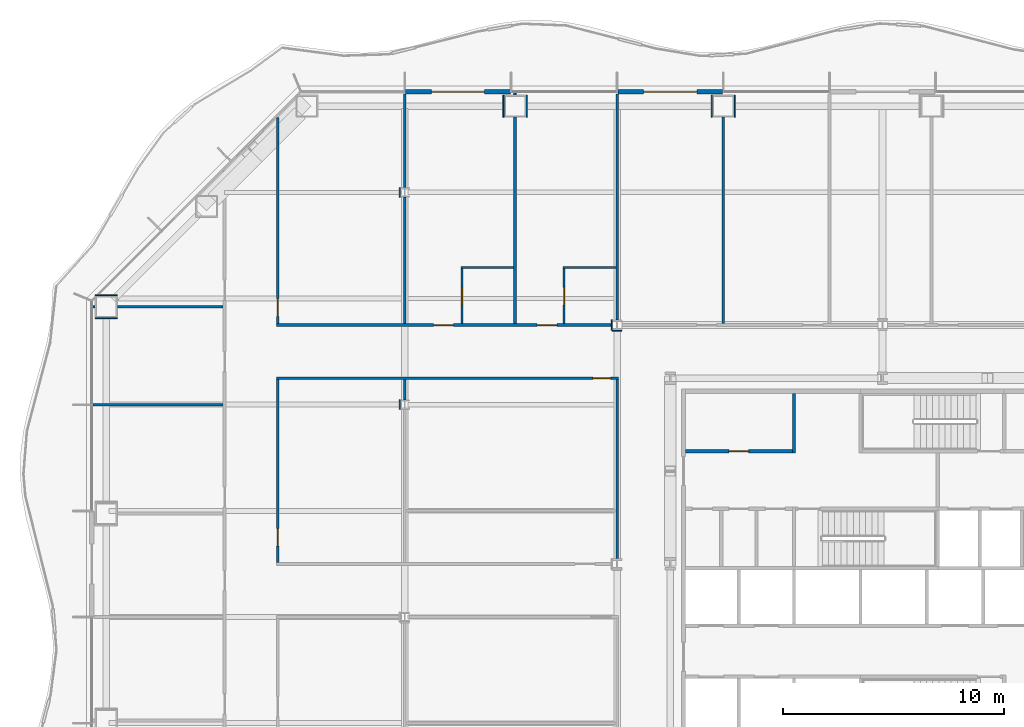
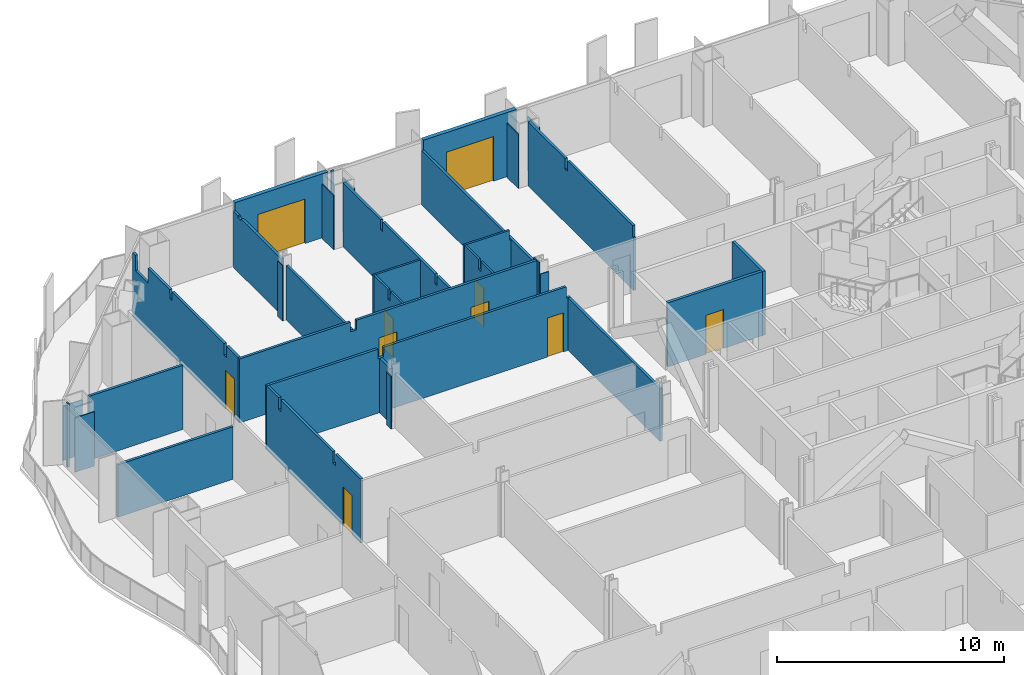
# One storey, part 11 of 20: 33 walls, 10 doors, 10 openings.
"""IFC4 building model written with IfcOpenShell, lengths in metres."""

from ifc_helpers import new_model, si_unit, direction, frame, frame_2d, origin, place, context, subcontext, project, spatial, polyline, rectangle, outline, extrude, material, layer, layer_set, type_object, element, fill, save


model = new_model("IFC4")

# Units and contexts
model_context = context("Model", 3, precision=1e-05, world=origin(), true_north=direction((0.0, 1.0)))
body_context = subcontext(model_context, "Body", "Model", "MODEL_VIEW")
ifc_project = project(units=[si_unit("LENGTHUNIT", "METRE"), si_unit("AREAUNIT", "SQUARE_METRE"), si_unit("VOLUMEUNIT", "CUBIC_METRE"), si_unit("PLANEANGLEUNIT", "RADIAN"), si_unit("MASSUNIT", "GRAM", prefix="KILO")], contexts=[model_context])

# Site, building, storey
site_placement = place(None, origin())
site = spatial("IfcSite", under=ifc_project, at=site_placement, CompositionType="ELEMENT")
building_placement = place(site_placement, origin())
building = spatial("IfcBuilding", under=site, at=building_placement, Name="Cairn Pilgrim Tower", CompositionType="ELEMENT")
storey_placement = place(building_placement, frame((0.0, 0.0, 61.800048828125)))
storey = spatial("IfcBuildingStorey", under=building, at=storey_placement, Name="L13", CompositionType="ELEMENT", Elevation=61.800048828125)

# Wall, opening, door
ifc_material_1 = material(Name="Bronze anodised aluminium insulated sandwich panel with mineral wool fill", Category="aluminium")
ifc_layer_1 = layer(ifc_material_1, 0.199951171875)
ifc_layer_set_1 = layer_set([ifc_layer_1], Name="BRONZE INFILL FRAME WALL 200")
wall_type_1 = type_object("IfcWallType", Name="BRONZE INFILL FRAME WALL 200", PredefinedType="NOTDEFINED", material=ifc_layer_set_1)
wall_1_placement = place(storey_placement, frame((-0.030029296875, 23.75, 0.0), z_axis=(0.0, 0.0, 1.0), x_axis=(-1.0, 0.0, 0.0)))
wall_1 = element("IfcWall", 1, at=wall_1_placement, inside=storey, type_object=wall_type_1, Name="Bronze infill frame wall IW-N5", PredefinedType="NOTDEFINED", context=body_context, shape_type="SweptSolid", body=[
    extrude(rectangle(XDim=4.739990234375, YDim=0.199951171875, at=frame_2d((2.3701171875, 0.0))), origin(), (0.0, 0.0, 1.0), 3.449951171875),
])
opening_1_placement = place(wall_1_placement, frame((1.169921875, 0.0, 0.0)))
opening_1 = element("IfcOpeningElement", 2, at=opening_1_placement, cuts=wall_1, Name="Opening 1318B", PredefinedType="OPENING", context=body_context, shape_type="SweptSolid", body=[
    extrude(rectangle(XDim=2.39990234375, YDim=2.39990234375, at=frame_2d((1.199951171875, 1.199951171875))), frame((0.0, 0.10986328125, 0.0), z_axis=(0.0, -1.0, 0.0), x_axis=(1.0, 0.0, 0.0)), (0.0, 0.0, 1.0), 0.219970703125),
])
ifc_material_2 = material(Name="Bronze anodised aluminium frame with tinted low-E glass", Category="aluminium")
door_type_1 = type_object("IfcDoorType", Name="BALCONY SLIDING DOOR 2400x2400", OperationType="DOUBLE_DOOR_SLIDING", PredefinedType="DOOR", material=ifc_material_2)
door_1_placement = place(opening_1_placement, origin())
door_1 = element("IfcDoor", 3, at=door_1_placement, inside=storey, type_object=door_type_1, Name="Balcony sliding door 1318B", OperationType="SINGLE_SWING_LEFT", OverallHeight=2.39990234375, OverallWidth=2.39990234375, PredefinedType="DOOR", context=body_context, shape_type="SweptSolid", body=[
    extrude(rectangle(XDim=2.39990234375, YDim=2.39990234375, at=frame_2d((1.199951171875, 1.199951171875))), frame((0.0, 0.02490234375, 0.0), z_axis=(0.0, -1.0, 0.0), x_axis=(1.0, 0.0, 0.0)), (0.0, 0.0, 1.0), 0.050048828125),
])
fill(opening_1, door_1)

wall_2_placement = place(storey_placement, frame((-9.6298828125, 23.75, 0.0), z_axis=(0.0, 0.0, 1.0), x_axis=(-1.0, 0.0, 0.0)))
wall_2 = element("IfcWall", 4, at=wall_2_placement, inside=storey, type_object=wall_type_1, Name="Bronze infill frame wall IW-N7", PredefinedType="NOTDEFINED", context=body_context, shape_type="SweptSolid", body=[
    extrude(rectangle(XDim=4.740234375, YDim=0.199951171875, at=frame_2d((2.3701171875, 0.0))), origin(), (0.0, 0.0, 1.0), 3.449951171875),
])
opening_2_placement = place(wall_2_placement, frame((1.169921875, 0.0, 0.0)))
opening_2 = element("IfcOpeningElement", 5, at=opening_2_placement, cuts=wall_2, Name="Opening 1316B", PredefinedType="OPENING", context=body_context, shape_type="SweptSolid", body=[
    extrude(rectangle(XDim=2.39990234375, YDim=2.39990234375, at=frame_2d((1.199951171875, 1.199951171875))), frame((0.0, 0.10986328125, 0.0), z_axis=(0.0, -1.0, 0.0), x_axis=(1.0, 0.0, 0.0)), (0.0, 0.0, 1.0), 0.219970703125),
])
door_2_placement = place(opening_2_placement, origin())
door_2 = element("IfcDoor", 6, at=door_2_placement, inside=storey, type_object=door_type_1, Name="Balcony sliding door 1316B", OperationType="SINGLE_SWING_LEFT", OverallHeight=2.39990234375, OverallWidth=2.39990234375, PredefinedType="DOOR", context=body_context, shape_type="SweptSolid", body=[
    extrude(rectangle(XDim=2.39990234375, YDim=2.39990234375, at=frame_2d((1.199951171875, 1.199951171875))), frame((0.0, 0.02490234375, 0.0), z_axis=(0.0, -1.0, 0.0), x_axis=(1.0, 0.0, 0.0)), (0.0, 0.0, 1.0), 0.050048828125),
])
fill(opening_2, door_2)

ifc_material_3 = material(Name="Concrete C32/40", Category="concrete")
ifc_layer_2 = layer(ifc_material_3, 0.14990234375)
ifc_layer_set_2 = layer_set([ifc_layer_2], Name="CORE PARTITION 150 EI 60")
wall_type_2 = type_object("IfcWallType", Name="CORE PARTITION 150 EI 60", PredefinedType="PARTITIONING", material=ifc_layer_set_2)
wall_3_placement = place(storey_placement, frame((-1.699951171875, 7.5, 0.0), z_axis=(0.0, 0.0, 1.0), x_axis=(1.0, 0.0, 0.0)))
wall_3 = element("IfcWall", 7, at=wall_3_placement, inside=storey, type_object=wall_type_2, Name="CW:L13:H09", PredefinedType="PARTITIONING", context=body_context, shape_type="SweptSolid", body=[
    extrude(rectangle(XDim=4.824951171875, YDim=0.14990234375, at=frame_2d((2.41259765625, 0.0))), origin(), (0.0, 0.0, 1.0), 3.449951171875),
])
opening_3_placement = place(wall_3_placement, frame((1.949951171875, 0.0, 0.0)))
opening_3 = element("IfcOpeningElement", 8, at=opening_3_placement, cuts=wall_3, Name="Opening RD-R4W1", PredefinedType="OPENING", context=body_context, shape_type="SweptSolid", body=[
    extrude(rectangle(XDim=0.89990234375, YDim=2.10009765625, at=frame_2d((0.449951171875, 1.050048828125))), frame((0.0, 0.0849609375, 0.0), z_axis=(0.0, -1.0, 0.0), x_axis=(1.0, 0.0, 0.0)), (0.0, 0.0, 1.0), 0.169921875),
])
ifc_material_4 = material(Name="Painted steel", Category="steel")
door_type_2 = type_object("IfcDoorType", Name="SERVICE ROOM DOOR 900x2100", OperationType="SINGLE_SWING_LEFT", PredefinedType="DOOR", material=ifc_material_4)
door_3_placement = place(opening_3_placement, origin())
door_3 = element("IfcDoor", 9, at=door_3_placement, inside=storey, type_object=door_type_2, Name="RD-R4W1", OperationType="SINGLE_SWING_LEFT", OverallHeight=2.10009765625, OverallWidth=0.89990234375, PredefinedType="DOOR", context=body_context, shape_type="SweptSolid", body=[
    extrude(rectangle(XDim=0.89990234375, YDim=2.10009765625, at=frame_2d((0.449951171875, 1.050048828125))), frame((0.0, 0.02490234375, 0.0), z_axis=(0.0, -1.0, 0.0), x_axis=(1.0, 0.0, 0.0)), (0.0, 0.0, 1.0), 0.050048828125),
])
fill(opening_3, door_3)

# Wall
wall_4_placement = place(storey_placement, frame((3.199951171875, 7.425048828125, 0.0), z_axis=(0.0, 0.0, 1.0), x_axis=(0.0, 1.0, 0.0)))
element("IfcWall", 10, at=wall_4_placement, inside=storey, type_object=wall_type_2, Name="CW:L13:V20", PredefinedType="PARTITIONING", context=body_context, shape_type="SweptSolid", body=[
    extrude(rectangle(XDim=2.675048828125, YDim=0.14990234375, at=frame_2d((1.33740234375, 0.0))), origin(), (0.0, 0.0, 1.0), 3.449951171875),
])

# Wall, opening, door
ifc_material_5 = material(Name="Gypsum partition")
ifc_layer_3 = layer(ifc_material_5, 0.10009765625)
ifc_layer_set_3 = layer_set([ifc_layer_3], Name="PARTITION 100 DRYWALL")
wall_type_3 = type_object("IfcWallType", Name="PARTITION 100 DRYWALL", PredefinedType="PARTITIONING", material=ifc_layer_set_3)
wall_5_placement = place(storey_placement, frame((-11.81396484375, 13.262451171875, 0.0), z_axis=(0.0, 0.0, 1.0), x_axis=(0.0, 1.0, 0.0)))
wall_5 = element("IfcWall", 11, at=wall_5_placement, inside=storey, type_object=wall_type_3, Name="PARTITION W067", PredefinedType="PARTITIONING", context=body_context, shape_type="SweptSolid", body=[
    extrude(outline(polyline([(0.0, 0.0), (2.487548828125, 0.0), (2.487548828125, 3.449951171875), (1.237548828125, 3.449951171875), (1.235595703125, 2.929931640625), (1.03759765625, 2.929931640625), (1.035400390625, 3.449951171875), (0.0, 3.449951171875), (0.0, 0.0)])), frame((0.0, 0.050048828125, 0.0), z_axis=(0.0, -1.0, 0.0), x_axis=(1.0, 0.0, 0.0)), (0.0, 0.0, 1.0), 0.10009765625),
])
opening_4_placement = place(wall_5_placement, frame((0.83740234375, 0.0, 0.0)))
opening_4 = element("IfcOpeningElement", 12, at=opening_4_placement, cuts=wall_5, Name="Opening 1316E", PredefinedType="OPENING", context=body_context, shape_type="SweptSolid", body=[
    extrude(rectangle(XDim=0.800048828125, YDim=2.10009765625, at=frame_2d((0.39990234375, 1.050048828125))), frame((0.0, 0.06005859375, 0.0), z_axis=(0.0, -1.0, 0.0), x_axis=(1.0, 0.0, 0.0)), (0.0, 0.0, 1.0), 0.1201171875),
])
ifc_material_6 = material(Name="Timber door leaf", Category="wood")
door_type_3 = type_object("IfcDoorType", Name="DOOR 800x2100", OperationType="NOTDEFINED", PredefinedType="DOOR", material=ifc_material_6)
door_4_placement = place(opening_4_placement, frame((0.800048828125, 0.0, 0.0), z_axis=(0.0, 0.0, 1.0), x_axis=(-1.0, 0.0, 0.0)))
door_4 = element("IfcDoor", 13, at=door_4_placement, inside=storey, type_object=door_type_3, Name="DOOR 1316E", OperationType="SINGLE_SWING_RIGHT", OverallHeight=2.10009765625, OverallWidth=0.800048828125, PredefinedType="DOOR", context=body_context, shape_type="SweptSolid", body=[
    extrude(rectangle(XDim=0.800048828125, YDim=2.10009765625, at=frame_2d((0.39990234375, 1.050048828125))), frame((0.0, 0.02490234375, 0.0), z_axis=(0.0, -1.0, 0.0), x_axis=(1.0, 0.0, 0.0)), (0.0, 0.0, 1.0), 0.050048828125),
])
fill(opening_4, door_4)

wall_6_placement = place(storey_placement, frame((-7.199951171875, 13.262451171875, 0.0), z_axis=(0.0, 0.0, 1.0), x_axis=(0.0, 1.0, 0.0)))
wall_6 = element("IfcWall", 14, at=wall_6_placement, inside=storey, type_object=wall_type_3, Name="PARTITION W069", PredefinedType="PARTITIONING", context=body_context, shape_type="SweptSolid", body=[
    extrude(outline(polyline([(0.0, 0.0), (2.487548828125, 0.0), (2.487548828125, 3.449951171875), (1.237548828125, 3.449951171875), (1.235595703125, 2.929931640625), (1.03759765625, 2.929931640625), (1.035400390625, 3.449951171875), (0.0, 3.449951171875), (0.0, 0.0)])), frame((0.0, 0.050048828125, 0.0), z_axis=(0.0, -1.0, 0.0), x_axis=(1.0, 0.0, 0.0)), (0.0, 0.0, 1.0), 0.10009765625),
])
opening_5_placement = place(wall_6_placement, frame((0.83740234375, 0.0, 0.0)))
opening_5 = element("IfcOpeningElement", 15, at=opening_5_placement, cuts=wall_6, Name="Opening 1317E", PredefinedType="OPENING", context=body_context, shape_type="SweptSolid", body=[
    extrude(rectangle(XDim=0.800048828125, YDim=2.10009765625, at=frame_2d((0.39990234375, 1.050048828125))), frame((0.0, 0.06005859375, 0.0), z_axis=(0.0, -1.0, 0.0), x_axis=(1.0, 0.0, 0.0)), (0.0, 0.0, 1.0), 0.1201171875),
])
door_5_placement = place(opening_5_placement, frame((0.800048828125, 0.0, 0.0), z_axis=(0.0, 0.0, 1.0), x_axis=(-1.0, 0.0, 0.0)))
door_5 = element("IfcDoor", 16, at=door_5_placement, inside=storey, type_object=door_type_3, Name="DOOR 1317E", OperationType="SINGLE_SWING_RIGHT", OverallHeight=2.10009765625, OverallWidth=0.800048828125, PredefinedType="DOOR", context=body_context, shape_type="SweptSolid", body=[
    extrude(rectangle(XDim=0.800048828125, YDim=2.10009765625, at=frame_2d((0.39990234375, 1.050048828125))), frame((0.0, 0.02490234375, 0.0), z_axis=(0.0, -1.0, 0.0), x_axis=(1.0, 0.0, 0.0)), (0.0, 0.0, 1.0), 0.050048828125),
])
fill(opening_5, door_5)

# Walls
wall_7_placement = place(storey_placement, frame((-11.864013671875, 15.800048828125, 0.0), z_axis=(0.0, 0.0, 1.0), x_axis=(1.0, 0.0, 0.0)))
element("IfcWall", 17, at=wall_7_placement, inside=storey, type_object=wall_type_3, Name="PARTITION W078", PredefinedType="PARTITIONING", context=body_context, shape_type="SweptSolid", body=[
    extrude(rectangle(XDim=2.387451171875, YDim=0.10009765625, at=frame_2d((1.19384765625, 0.0))), origin(), (0.0, 0.0, 1.0), 3.449951171875),
])
wall_8_placement = place(storey_placement, frame((-7.25, 15.800048828125, 0.0), z_axis=(0.0, 0.0, 1.0), x_axis=(1.0, 0.0, 0.0)))
element("IfcWall", 18, at=wall_8_placement, inside=storey, type_object=wall_type_3, Name="PARTITION W079", PredefinedType="PARTITIONING", context=body_context, shape_type="SweptSolid", body=[
    extrude(outline(polyline([(0.0, 0.0), (2.387451171875, 0.0), (2.387451171875, 2.929931640625), (2.300048828125, 2.929931640625), (2.298095703125, 3.449951171875), (0.0, 3.449951171875), (0.0, 0.0)])), frame((0.0, 0.050048828125, 0.0), z_axis=(0.0, -1.0, 0.0), x_axis=(1.0, 0.0, 0.0)), (0.0, 0.0, 1.0), 0.10009765625),
])

# Wall, opening, door
ifc_layer_4 = layer(ifc_material_5, 0.125)
ifc_layer_set_4 = layer_set([ifc_layer_4], Name="PARTITION 125 DRYWALL EI 60")
wall_type_4 = type_object("IfcWallType", Name="PARTITION 125 DRYWALL EI 60", PredefinedType="PARTITIONING", material=ifc_layer_set_4)
wall_9_placement = place(storey_placement, frame((-20.14990234375, 2.46240234375, 0.0), z_axis=(0.0, 0.0, 1.0), x_axis=(0.0, 1.0, 0.0)))
wall_9 = element("IfcWall", 19, at=wall_9_placement, inside=storey, type_object=wall_type_4, Name="PARTITION W049", PredefinedType="PARTITIONING", context=body_context, shape_type="SweptSolid", body=[
    extrude(outline(polyline([(0.0, 0.0), (8.275146484375, 0.0), (8.27490234375, 3.449951171875), (7.24755859375, 3.449951171875), (7.24560546875, 2.829833984375), (7.027587890625, 2.829833984375), (7.025390625, 3.449951171875), (2.447509765625, 3.449951171875), (2.445556640625, 2.829833984375), (2.2275390625, 2.829833984375), (2.2255859375, 3.449951171875), (0.0, 3.449951171875), (0.0, 0.0)])), frame((0.0, 0.0625, 0.0), z_axis=(0.0, -1.0, 0.0), x_axis=(1.0, 0.0, 0.0)), (0.0, 0.0, 1.0), 0.125),
])
opening_6_placement = place(wall_9_placement, frame((0.737548828125, 0.0, 0.0)))
opening_6 = element("IfcOpeningElement", 20, at=opening_6_placement, cuts=wall_9, Name="Opening 1334", PredefinedType="OPENING", context=body_context, shape_type="SweptSolid", body=[
    extrude(rectangle(XDim=0.800048828125, YDim=2.10009765625, at=frame_2d((0.39990234375, 1.050048828125))), frame((0.0, 0.072509765625, 0.0), z_axis=(0.0, -1.0, 0.0), x_axis=(1.0, 0.0, 0.0)), (0.0, 0.0, 1.0), 0.14501953125),
])
ifc_material_7 = material(Name="Steel-faced fire door leaf", Category="steel")
door_type_4 = type_object("IfcDoorType", Name="FIRE DOOR 800x2100 FD30S", OperationType="NOTDEFINED", PredefinedType="DOOR", material=ifc_material_7)
door_6_placement = place(opening_6_placement, frame((0.800048828125, 0.0, 0.0), z_axis=(0.0, 0.0, 1.0), x_axis=(-1.0, 0.0, 0.0)))
door_6 = element("IfcDoor", 21, at=door_6_placement, inside=storey, type_object=door_type_4, Name="DOOR 1334", OperationType="SINGLE_SWING_LEFT", OverallHeight=2.10009765625, OverallWidth=0.800048828125, PredefinedType="DOOR", context=body_context, shape_type="SweptSolid", body=[
    extrude(rectangle(XDim=0.800048828125, YDim=2.10009765625, at=frame_2d((0.39990234375, 1.050048828125))), frame((0.0, 0.02490234375, 0.0), z_axis=(0.0, -1.0, 0.0), x_axis=(1.0, 0.0, 0.0)), (0.0, 0.0, 1.0), 0.050048828125),
])
fill(opening_6, door_6)

# Walls
wall_10_placement = place(storey_placement, frame((-4.800048828125, 2.636962890625, 0.0), z_axis=(0.0, 0.0, 1.0), x_axis=(0.0, 1.0, 0.0)))
element("IfcWall", 22, at=wall_10_placement, inside=storey, type_object=wall_type_4, Name="PARTITION W051", PredefinedType="PARTITIONING", context=body_context, shape_type="SweptSolid", body=[
    extrude(rectangle(XDim=8.1005859375, YDim=0.125, at=frame_2d((4.05029296875, 0.0))), origin(), (0.0, 0.0, 1.0), 2.829833984375),
])
wall_11_placement = place(storey_placement, frame((-28.489990234375, 9.60009765625, 0.0), z_axis=(0.0, 0.0, 1.0), x_axis=(1.0, 0.0, 0.0)))
element("IfcWall", 23, at=wall_11_placement, inside=storey, type_object=wall_type_4, Name="PARTITION W058", PredefinedType="PARTITIONING", context=body_context, shape_type="SweptSolid", body=[
    extrude(rectangle(XDim=5.87744140625, YDim=0.125, at=frame_2d((2.938720703125, 0.0))), origin(), (0.0, 0.0, 1.0), 2.829833984375),
])
wall_12_placement = place(storey_placement, frame((-14.39990234375, 9.8125, 0.0), z_axis=(0.0, 0.0, 1.0), x_axis=(0.0, 1.0, 0.0)))
element("IfcWall", 24, at=wall_12_placement, inside=storey, type_object=wall_type_4, Name="PARTITION W060", PredefinedType="PARTITIONING", context=body_context, shape_type="SweptSolid", body=[
    extrude(rectangle(XDim=0.925048828125, YDim=0.125, at=frame_2d((0.46240234375, 0.0))), origin(), (0.0, 0.0, 1.0), 2.929931640625),
])

# Wall, opening, door
wall_13_placement = place(storey_placement, frame((-20.21240234375, 10.800048828125, 0.0), z_axis=(0.0, 0.0, 1.0), x_axis=(1.0, 0.0, 0.0)))
wall_13 = element("IfcWall", 25, at=wall_13_placement, inside=storey, type_object=wall_type_4, Name="PARTITION W061", PredefinedType="PARTITIONING", context=body_context, shape_type="SweptSolid", body=[
    extrude(outline(polyline([(0.0, 0.0), (15.474853515625, 0.0), (15.47509765625, 2.829833984375), (15.262451171875, 2.829833984375), (15.260498046875, 3.449951171875), (5.96240234375, 3.449951171875), (5.96044921875, 2.929931640625), (5.66259765625, 2.929931640625), (5.660400390625, 3.449951171875), (0.0, 3.449951171875), (0.0, 0.0)])), frame((0.0, 0.0625, 0.0), z_axis=(0.0, -1.0, 0.0), x_axis=(1.0, 0.0, 0.0)), (0.0, 0.0, 1.0), 0.125),
])
opening_7_placement = place(wall_13_placement, frame((14.3125, 0.0, 0.0)))
opening_7 = element("IfcOpeningElement", 26, at=opening_7_placement, cuts=wall_13, Name="Opening 1332", PredefinedType="OPENING", context=body_context, shape_type="SweptSolid", body=[
    extrude(rectangle(XDim=0.800048828125, YDim=2.10009765625, at=frame_2d((0.39990234375, 1.050048828125))), frame((0.0, 0.072509765625, 0.0), z_axis=(0.0, -1.0, 0.0), x_axis=(1.0, 0.0, 0.0)), (0.0, 0.0, 1.0), 0.14501953125),
])
door_7_placement = place(opening_7_placement, frame((0.800048828125, 0.0, 0.0), z_axis=(0.0, 0.0, 1.0), x_axis=(-1.0, 0.0, 0.0)))
door_7 = element("IfcDoor", 27, at=door_7_placement, inside=storey, type_object=door_type_4, Name="DOOR 1332", OperationType="SINGLE_SWING_LEFT", OverallHeight=2.10009765625, OverallWidth=0.800048828125, PredefinedType="DOOR", context=body_context, shape_type="SweptSolid", body=[
    extrude(rectangle(XDim=0.800048828125, YDim=2.10009765625, at=frame_2d((0.39990234375, 1.050048828125))), frame((0.0, 0.02490234375, 0.0), z_axis=(0.0, -1.0, 0.0), x_axis=(1.0, 0.0, 0.0)), (0.0, 0.0, 1.0), 0.050048828125),
])
fill(opening_7, door_7)

# Wall, openings, doors
wall_14_placement = place(storey_placement, frame((-20.21240234375, 13.199951171875, 0.0), z_axis=(0.0, 0.0, 1.0), x_axis=(1.0, 0.0, 0.0)))
wall_14 = element("IfcWall", 28, at=wall_14_placement, inside=storey, type_object=wall_type_4, Name="PARTITION W062", PredefinedType="PARTITIONING", context=body_context, shape_type="SweptSolid", body=[
    extrude(outline(polyline([(0.0, 0.0), (15.200439453125, 0.0), (15.200439453125, 3.449951171875), (5.96240234375, 3.449951171875), (5.96044921875, 2.929931640625), (5.66259765625, 2.929931640625), (5.660400390625, 3.449951171875), (0.0, 3.449951171875), (0.0, 0.0)])), frame((0.0, 0.0625, 0.0), z_axis=(0.0, -1.0, 0.0), x_axis=(1.0, 0.0, 0.0)), (0.0, 0.0, 1.0), 0.125),
])
opening_8_placement = place(wall_14_placement, frame((7.112548828125, 0.0, 0.0)))
opening_8 = element("IfcOpeningElement", 29, at=opening_8_placement, cuts=wall_14, Name="Opening 1316", PredefinedType="OPENING", context=body_context, shape_type="SweptSolid", body=[
    extrude(rectangle(XDim=0.89990234375, YDim=2.10009765625, at=frame_2d((0.449951171875, 1.050048828125))), frame((0.0, 0.072509765625, 0.0), z_axis=(0.0, -1.0, 0.0), x_axis=(1.0, 0.0, 0.0)), (0.0, 0.0, 1.0), 0.14501953125),
])
opening_9_placement = place(wall_14_placement, frame((11.798583984375, 0.0, 0.0)))
opening_9 = element("IfcOpeningElement", 30, at=opening_9_placement, cuts=wall_14, Name="Opening 1317", PredefinedType="OPENING", context=body_context, shape_type="SweptSolid", body=[
    extrude(rectangle(XDim=0.89990234375, YDim=2.10009765625, at=frame_2d((0.449951171875, 1.050048828125))), frame((0.0, 0.072509765625, 0.0), z_axis=(0.0, -1.0, 0.0), x_axis=(1.0, 0.0, 0.0)), (0.0, 0.0, 1.0), 0.14501953125),
])
door_type_5 = type_object("IfcDoorType", Name="FIRE DOOR 900x2100 FD30S", OperationType="NOTDEFINED", PredefinedType="DOOR", material=ifc_material_7)
door_8_placement = place(opening_8_placement, origin())
door_8 = element("IfcDoor", 31, at=door_8_placement, inside=storey, type_object=door_type_5, Name="DOOR 1316", OperationType="SINGLE_SWING_LEFT", OverallHeight=2.10009765625, OverallWidth=0.89990234375, PredefinedType="DOOR", context=body_context, shape_type="SweptSolid", body=[
    extrude(rectangle(XDim=0.89990234375, YDim=2.10009765625, at=frame_2d((0.449951171875, 1.050048828125))), frame((0.0, 0.02490234375, 0.0), z_axis=(0.0, -1.0, 0.0), x_axis=(1.0, 0.0, 0.0)), (0.0, 0.0, 1.0), 0.050048828125),
])
fill(opening_8, door_8)
door_9_placement = place(opening_9_placement, origin())
door_9 = element("IfcDoor", 32, at=door_9_placement, inside=storey, type_object=door_type_5, Name="DOOR 1317", OperationType="SINGLE_SWING_LEFT", OverallHeight=2.10009765625, OverallWidth=0.89990234375, PredefinedType="DOOR", context=body_context, shape_type="SweptSolid", body=[
    extrude(rectangle(XDim=0.89990234375, YDim=2.10009765625, at=frame_2d((0.449951171875, 1.050048828125))), frame((0.0, 0.02490234375, 0.0), z_axis=(0.0, -1.0, 0.0), x_axis=(1.0, 0.0, 0.0)), (0.0, 0.0, 1.0), 0.050048828125),
])
fill(opening_9, door_9)

# Wall, opening, door
wall_15_placement = place(storey_placement, frame((-20.14990234375, 13.262451171875, 0.0), z_axis=(0.0, 0.0, 1.0), x_axis=(0.0, 1.0, 0.0)))
wall_15 = element("IfcWall", 33, at=wall_15_placement, inside=storey, type_object=wall_type_4, Name="PARTITION W065", PredefinedType="PARTITIONING", context=body_context, shape_type="SweptSolid", body=[
    extrude(outline(polyline([(0.0, 0.0), (9.326171875, 0.0), (9.326171875, 3.449951171875), (9.072265625, 3.449951171875), (9.0703125, 2.6298828125), (7.957275390625, 2.6298828125), (7.955078125, 3.449951171875), (6.032470703125, 3.449951171875), (6.030517578125, 2.97998046875), (5.842529296875, 2.97998046875), (5.840576171875, 3.449951171875), (1.24755859375, 3.449951171875), (1.24560546875, 2.829833984375), (1.027587890625, 2.829833984375), (1.025390625, 3.449951171875), (0.0, 3.449951171875), (0.0, 0.0)])), frame((0.0, 0.0625, 0.0), z_axis=(0.0, -1.0, 0.0), x_axis=(1.0, 0.0, 0.0)), (0.0, 0.0, 1.0), 0.125),
])
opening_10_placement = place(wall_15_placement, frame((0.33349609375, 0.0, 0.0)))
opening_10 = element("IfcOpeningElement", 34, at=opening_10_placement, cuts=wall_15, Name="Opening 1315", PredefinedType="OPENING", context=body_context, shape_type="SweptSolid", body=[
    extrude(rectangle(XDim=0.800048828125, YDim=2.10009765625, at=frame_2d((0.39990234375, 1.050048828125))), frame((0.0, 0.072509765625, 0.0), z_axis=(0.0, -1.0, 0.0), x_axis=(1.0, 0.0, 0.0)), (0.0, 0.0, 1.0), 0.14501953125),
])
door_10_placement = place(opening_10_placement, frame((0.800048828125, 0.0, 0.0), z_axis=(0.0, 0.0, 1.0), x_axis=(-1.0, 0.0, 0.0)))
door_10 = element("IfcDoor", 35, at=door_10_placement, inside=storey, type_object=door_type_4, Name="DOOR 1315", OperationType="SINGLE_SWING_RIGHT", OverallHeight=2.10009765625, OverallWidth=0.800048828125, PredefinedType="DOOR", context=body_context, shape_type="SweptSolid", body=[
    extrude(rectangle(XDim=0.800048828125, YDim=2.10009765625, at=frame_2d((0.39990234375, 1.050048828125))), frame((0.0, 0.02490234375, 0.0), z_axis=(0.0, -1.0, 0.0), x_axis=(1.0, 0.0, 0.0)), (0.0, 0.0, 1.0), 0.050048828125),
])
fill(opening_10, door_10)

# Walls
wall_16_placement = place(storey_placement, frame((-14.39990234375, 13.262451171875, 0.0), z_axis=(0.0, 0.0, 1.0), x_axis=(0.0, 1.0, 0.0)))
element("IfcWall", 36, at=wall_16_placement, inside=storey, type_object=wall_type_4, Name="PARTITION W066", PredefinedType="PARTITIONING", context=body_context, shape_type="SweptSolid", body=[
    extrude(rectangle(XDim=5.72509765625, YDim=0.125, at=frame_2d((2.862548828125, 0.0))), origin(), (0.0, 0.0, 1.0), 2.929931640625),
])
wall_17_placement = place(storey_placement, frame((-9.4140625, 13.262451171875, 0.0), z_axis=(0.0, 0.0, 1.0), x_axis=(0.0, 1.0, 0.0)))
element("IfcWall", 37, at=wall_17_placement, inside=storey, type_object=wall_type_4, Name="PARTITION W068", PredefinedType="PARTITIONING", context=body_context, shape_type="SweptSolid", body=[
    extrude(outline(polyline([(0.0, 0.0), (9.337646484375, 0.0), (9.33740234375, 3.449951171875), (6.03759765625, 3.449951171875), (6.035400390625, 2.929931640625), (5.83740234375, 2.929931640625), (5.83544921875, 3.449951171875), (1.237548828125, 3.449951171875), (1.235595703125, 2.929931640625), (1.03759765625, 2.929931640625), (1.035400390625, 3.449951171875), (0.0, 3.449951171875), (0.0, 0.0)])), frame((0.0, 0.0625, 0.0), z_axis=(0.0, -1.0, 0.0), x_axis=(1.0, 0.0, 0.0)), (0.0, 0.0, 1.0), 0.125),
])
wall_18_placement = place(storey_placement, frame((0.0, 13.262451171875, 0.0), z_axis=(0.0, 0.0, 1.0), x_axis=(0.0, 1.0, 0.0)))
element("IfcWall", 38, at=wall_18_placement, inside=storey, type_object=wall_type_4, Name="PARTITION W070", PredefinedType="PARTITIONING", context=body_context, shape_type="SweptSolid", body=[
    extrude(outline(polyline([(0.0, 0.0), (9.337646484375, 0.0), (9.33740234375, 3.449951171875), (6.04248046875, 3.449951171875), (6.04052734375, 2.8798828125), (5.83251953125, 2.8798828125), (5.83056640625, 3.449951171875), (0.08740234375, 3.449951171875), (0.08544921875, 2.829833984375), (0.0, 2.829833984375), (0.0, 0.0)])), frame((0.0, 0.0625, 0.0), z_axis=(0.0, -1.0, 0.0), x_axis=(1.0, 0.0, 0.0)), (0.0, 0.0, 1.0), 0.125),
])
wall_19_placement = place(storey_placement, frame((-4.800048828125, 13.43701171875, 0.0), z_axis=(0.0, 0.0, 1.0), x_axis=(0.0, 1.0, 0.0)))
element("IfcWall", 39, at=wall_19_placement, inside=storey, type_object=wall_type_4, Name="PARTITION W074", PredefinedType="PARTITIONING", context=body_context, shape_type="SweptSolid", body=[
    extrude(rectangle(XDim=10.212890625, YDim=0.125, at=frame_2d((5.1064453125, 0.0))), origin(), (0.0, 0.0, 1.0), 2.929931640625),
])
wall_20_placement = place(storey_placement, frame((-28.5029296875, 14.027099609375, 0.0), z_axis=(0.0, 0.0, 1.0), x_axis=(1.0, 0.0, 0.0)))
element("IfcWall", 40, at=wall_20_placement, inside=storey, type_object=wall_type_4, Name="PARTITION W076", PredefinedType="PARTITIONING", context=body_context, shape_type="SweptSolid", body=[
    extrude(rectangle(XDim=0.10302734375, YDim=0.125, at=frame_2d((0.051513671875, 0.0))), origin(), (0.0, 0.0, 1.0), 3.449951171875),
])
wall_21_placement = place(storey_placement, frame((-27.39990234375, 14.027099609375, 0.0), z_axis=(0.0, 0.0, 1.0), x_axis=(1.0, 0.0, 0.0)))
element("IfcWall", 41, at=wall_21_placement, inside=storey, type_object=wall_type_4, Name="PARTITION W077", PredefinedType="PARTITIONING", context=body_context, shape_type="SweptSolid", body=[
    extrude(rectangle(XDim=4.787353515625, YDim=0.125, at=frame_2d((2.3935546875, 0.0))), origin(), (0.0, 0.0, 1.0), 3.449951171875),
])
wall_22_placement = place(storey_placement, frame((-14.39990234375, 19.41259765625, 0.0), z_axis=(0.0, 0.0, 1.0), x_axis=(0.0, 1.0, 0.0)))
element("IfcWall", 42, at=wall_22_placement, inside=storey, type_object=wall_type_4, Name="PARTITION W080", PredefinedType="PARTITIONING", context=body_context, shape_type="SweptSolid", body=[
    extrude(outline(polyline([(0.0, 0.0), (4.2373046875, 0.0), (4.237548828125, 3.030029296875), (3.83740234375, 3.030029296875), (3.83544921875, 2.929931640625), (3.53759765625, 2.929931640625), (3.535400390625, 3.030029296875), (0.0, 3.030029296875), (0.0, 0.0)])), frame((0.0, 0.0625, 0.0), z_axis=(0.0, -1.0, 0.0), x_axis=(1.0, 0.0, 0.0)), (0.0, 0.0, 1.0), 0.125),
])
wall_23_placement = place(storey_placement, frame((-9.4140625, 23.60009765625, 0.0), z_axis=(0.0, 0.0, 1.0), x_axis=(0.0, 1.0, 0.0)))
element("IfcWall", 43, at=wall_23_placement, inside=storey, type_object=wall_type_4, Name="PARTITION W081", PredefinedType="PARTITIONING", context=body_context, shape_type="SweptSolid", body=[
    extrude(rectangle(XDim=0.102783203125, YDim=0.125, at=frame_2d((0.05126953125, 0.0))), origin(), (0.0, 0.0, 1.0), 3.449951171875),
])
ifc_layer_5 = layer(ifc_material_5, 0.050048828125)
ifc_layer_set_5 = layer_set([ifc_layer_5], Name="PARTITION 50 DRYWALL EI 60")
wall_type_5 = type_object("IfcWallType", Name="PARTITION 50 DRYWALL EI 60", PredefinedType="PARTITIONING", material=ifc_layer_set_5)
wall_24_placement = place(storey_placement, frame((-14.62939453125, 9.387451171875, 0.0), z_axis=(0.0, 0.0, 1.0), x_axis=(0.0, 1.0, 0.0)))
element("IfcWall", 44, at=wall_24_placement, inside=storey, type_object=wall_type_5, Name="COLUMN CASING WC24", PredefinedType="PARTITIONING", context=body_context, shape_type="SweptSolid", body=[
    extrude(rectangle(XDim=0.425048828125, YDim=0.050048828125, at=frame_2d((0.21240234375, 0.0))), origin(), (0.0, 0.0, 1.0), 2.829833984375),
])
wall_25_placement = place(storey_placement, frame((-5.011962890625, 12.93798828125, 0.0), z_axis=(0.0, 0.0, 1.0), x_axis=(1.0, 0.0, 0.0)))
element("IfcWall", 45, at=wall_25_placement, inside=storey, type_object=wall_type_5, Name="COLUMN CASING WC30", PredefinedType="PARTITIONING", context=body_context, shape_type="SweptSolid", body=[
    extrude(rectangle(XDim=0.424072265625, YDim=0.050048828125, at=frame_2d((0.2119140625, 0.0))), origin(), (0.0, 0.0, 1.0), 2.829833984375),
])
wall_26_placement = place(storey_placement, frame((-14.62939453125, 18.987548828125, 0.0), z_axis=(0.0, 0.0, 1.0), x_axis=(0.0, 1.0, 0.0)))
element("IfcWall", 46, at=wall_26_placement, inside=storey, type_object=wall_type_5, Name="COLUMN CASING WC34", PredefinedType="PARTITIONING", context=body_context, shape_type="SweptSolid", body=[
    extrude(rectangle(XDim=0.425048828125, YDim=0.050048828125, at=frame_2d((0.21240234375, 0.0))), origin(), (0.0, 0.0, 1.0), 2.97998046875),
])
for number, where, z_axis, x_axis, name in (
    (47, (-9.938720703125, 22.60009765625, 0.0), (0.0, 0.0, 1.0), (0.0, 1.0, 0.0), "COLUMN CASING WC35"),
    (48, (-8.888671875, 22.60009765625, 0.0), (0.0, 0.0, 1.0), (0.0, 1.0, 0.0), "COLUMN CASING WC36"),
):
    element("IfcWall", number, at=place(storey_placement, frame(where, z_axis=z_axis, x_axis=x_axis)), inside=storey, type_object=wall_type_5, Name=name, PredefinedType="PARTITIONING", context=body_context, shape_type="SweptSolid", body=[
        extrude(rectangle(XDim=1.0, YDim=0.050048828125, at=frame_2d((0.5, 0.0))), origin(), (0.0, 0.0, 1.0), 2.929931640625),
    ])
wall_27_placement = place(storey_placement, frame((-5.037109375, 12.962890625, 0.0), z_axis=(0.0, 0.0, 1.0), x_axis=(0.0, 1.0, 0.0)))
element("IfcWall", 49, at=wall_27_placement, inside=storey, type_object=wall_type_5, Name="COLUMN CASING WC37", PredefinedType="PARTITIONING", context=body_context, shape_type="SweptSolid", body=[
    extrude(rectangle(XDim=0.47412109375, YDim=0.050048828125, at=frame_2d((0.237060546875, 0.0))), origin(), (0.0, 0.0, 1.0), 3.449951171875),
])
for number, where, z_axis, x_axis, name in (
    (50, (-0.52490234375, 22.60009765625, 0.0), (0.0, 0.0, 1.0), (0.0, 1.0, 0.0), "COLUMN CASING WC38"),
    (51, (0.52490234375, 22.60009765625, 0.0), (0.0, 0.0, 1.0), (0.0, 1.0, 0.0), "COLUMN CASING WC39"),
    (52, (-28.39990234375, 14.55224609375, 0.0), (0.0, 0.0, 1.0), (1.0, 0.0, 0.0), "COLUMN CASING WC42"),
    (53, (-28.39990234375, 13.502197265625, 0.0), (0.0, 0.0, 1.0), (1.0, 0.0, 0.0), "COLUMN CASING WC43"),
):
    element("IfcWall", number, at=place(storey_placement, frame(where, z_axis=z_axis, x_axis=x_axis)), inside=storey, type_object=wall_type_5, Name=name, PredefinedType="PARTITIONING", context=body_context, shape_type="SweptSolid", body=[
        extrude(rectangle(XDim=1.0, YDim=0.050048828125, at=frame_2d((0.5, 0.0))), origin(), (0.0, 0.0, 1.0), 2.929931640625),
    ])

save(model, "model.ifc")
